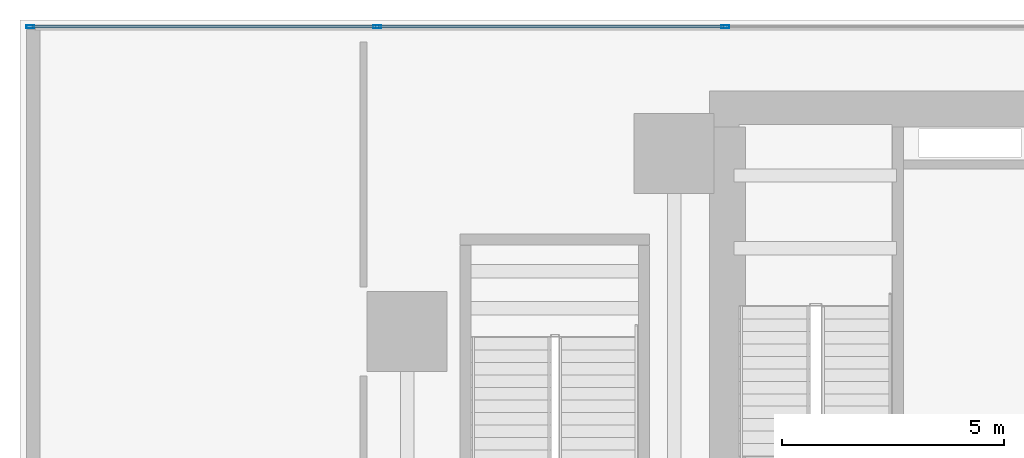
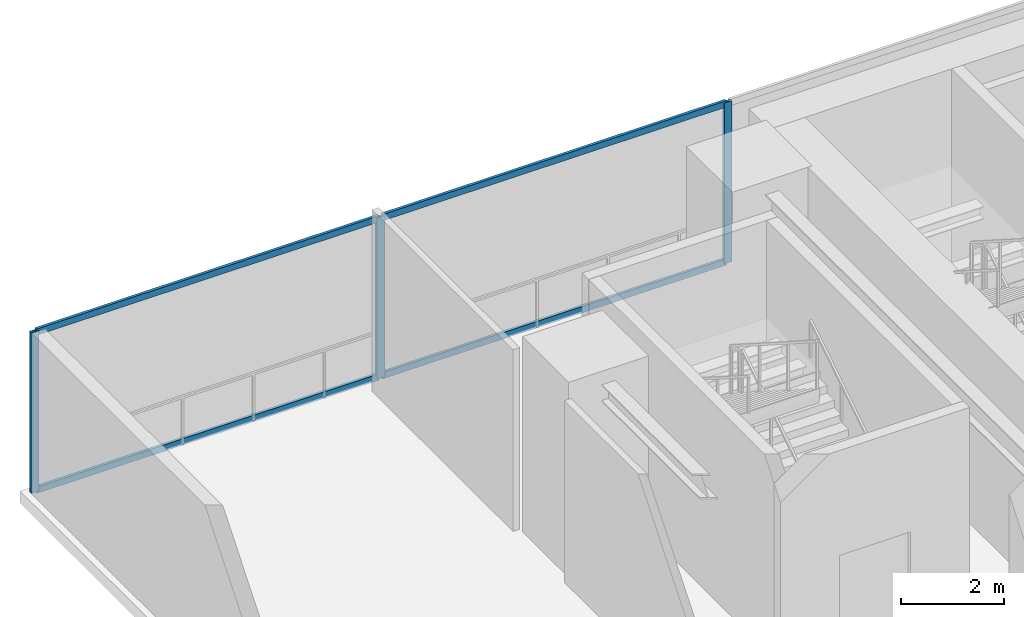
# One storey, part 2 of 15: 7 members, 1 element without a shape of its own.
"""IFC4 building model written with IfcOpenShell, lengths in metres."""

from ifc_helpers import new_model, si_unit, direction, frame, origin, origin_2d, place, context, subcontext, project, spatial, hollow_rectangle, extrude, source, transform, mapped, material, layer, layer_set, material_profile, profile_set, type_object, element, aggregate, save


model = new_model("IFC4")

# Units and contexts
model_context = context("Model", 3, precision=1e-05, world=origin(), true_north=direction((0.0, 1.0)))
body_context = subcontext(model_context, "Body", "Model", "MODEL_VIEW")
ifc_project = project(units=[si_unit("LENGTHUNIT", "METRE"), si_unit("AREAUNIT", "SQUARE_METRE"), si_unit("VOLUMEUNIT", "CUBIC_METRE"), si_unit("PLANEANGLEUNIT", "RADIAN"), si_unit("MASSUNIT", "GRAM", prefix="KILO")], contexts=[model_context])

# Site, building, storey
site_placement = place(None, origin())
site = spatial("IfcSite", under=ifc_project, at=site_placement, CompositionType="ELEMENT")
building_placement = place(site_placement, origin())
building = spatial("IfcBuilding", under=site, at=building_placement, Name="Sumidabori Civic Tower", CompositionType="ELEMENT")
storey_placement = place(building_placement, frame((0.0, 0.0, 14.300048828125)))
storey = spatial("IfcBuildingStorey", under=building, at=storey_placement, Name="L03", CompositionType="ELEMENT", Elevation=14.300048828125)

# Curtain wall, members
ifc_material = material(Name="Anodised Bronze Aluminium AW-6063-T6", Category="aluminium")
ifc_layer = layer(ifc_material, 0.179931640625, Name="Anodised Bronze Aluminium AW-6063-T6")
ifc_layer_set = layer_set([ifc_layer], Name="Anodised Bronze Aluminium AW-6063-T6")
curtain_wall_type = type_object("IfcCurtainWallType", Name="CW-SYS-1", PredefinedType="NOTDEFINED", material=ifc_layer_set)
curtain_wall_placement = place(storey_placement, origin())
curtain_wall = element("IfcCurtainWall", 1, at=curtain_wall_placement, inside=storey, type_object=curtain_wall_type, Name="Curtain Wall CW:L03:NORTH", PredefinedType="NOTDEFINED")
ifc_material_profile_1 = material_profile(ifc_material, hollow_rectangle(XDim=0.070068359375, YDim=0.179931640625, WallThickness=0.006103515625, at=origin_2d()), Name="ALU MULLION 180x70")
ifc_profile_set_1 = profile_set([ifc_material_profile_1], Name="Anodised Bronze Aluminium AW-6063-T6")
member_type_1 = type_object("IfcMemberType", Name="CW-MUL-180", PredefinedType="MULLION", material=ifc_profile_set_1)
shared_shape_1 = source(origin(), body_context, "Body", "SweptSolid", [
    extrude(hollow_rectangle(XDim=0.070068359375, YDim=0.179931640625, WallThickness=0.006103515625, at=origin_2d()), origin(), (0.0, 0.0, 1.0), 3.829833984375),
])
member_1_placement = place(storey_placement, frame((-31.264892578125, 25.64990234375, 0.0), z_axis=(0.0, 0.0, 1.0), x_axis=(0.0, 1.0, 0.0)))
member_1 = element("IfcMember", 2, at=member_1_placement, type_object=member_type_1, Name="CW-1 mullion 1", PredefinedType="MULLION", context=body_context, shape_type="MappedRepresentation", body=[
    mapped(shared_shape_1, transform((0.0, 0.0, 0.0), x_axis=(1.0, 0.0, 0.0), y_axis=(0.0, 1.0, 0.0), z_axis=(0.0, 0.0, 1.0), scale=1.0)),
])
member_2_placement = place(storey_placement, frame((-23.47509765625, 25.64990234375, 0.0), z_axis=(0.0, 0.0, 1.0), x_axis=(0.0, 1.0, 0.0)))
member_2 = element("IfcMember", 3, at=member_2_placement, type_object=member_type_1, Name="CW-1 mullion 2", PredefinedType="MULLION", context=body_context, shape_type="MappedRepresentation", body=[
    mapped(shared_shape_1, transform((0.0, 0.0, 0.0), x_axis=(1.0, 0.0, 0.0), y_axis=(0.0, 1.0, 0.0), z_axis=(0.0, 0.0, 1.0), scale=1.0)),
])
member_3_placement = place(storey_placement, frame((-15.64990234375, 25.64990234375, 0.0), z_axis=(0.0, 0.0, 1.0), x_axis=(0.0, 1.0, 0.0)))
member_3 = element("IfcMember", 4, at=member_3_placement, type_object=member_type_1, Name="CW-1 mullion 3", PredefinedType="MULLION", context=body_context, shape_type="MappedRepresentation", body=[
    mapped(shared_shape_1, transform((0.0, 0.0, 0.0), x_axis=(1.0, 0.0, 0.0), y_axis=(0.0, 1.0, 0.0), z_axis=(0.0, 0.0, 1.0), scale=1.0)),
])
ifc_material_profile_2 = material_profile(ifc_material, hollow_rectangle(XDim=0.06494140625, YDim=0.14990234375, WallThickness=0.0048828125, at=origin_2d()), Name="ALU TRANSOM 150x65")
ifc_profile_set_2 = profile_set([ifc_material_profile_2], Name="Anodised Bronze Aluminium AW-6063-T6")
member_type_2 = type_object("IfcMemberType", Name="CW-TRN-150", PredefinedType="USERDEFINED", material=ifc_profile_set_2)
shared_shape_2 = source(origin(), body_context, "Body", "SweptSolid", [
    extrude(hollow_rectangle(XDim=0.06494140625, YDim=0.14990234375, WallThickness=0.0048828125, at=origin_2d()), origin(), (0.0, 0.0, 1.0), 7.719970703125),
])
member_4_placement = place(storey_placement, frame((-31.22998046875, 25.64990234375, 0.032470703125), z_axis=(1.0, 0.0, 0.0), x_axis=(0.0, 1.0, 0.0)))
member_4 = element("IfcMember", 5, at=member_4_placement, type_object=member_type_2, Name="CW-1 transom 1.1", ObjectType="TRANSOM", PredefinedType="USERDEFINED", context=body_context, shape_type="MappedRepresentation", body=[
    mapped(shared_shape_2, transform((0.0, 0.0, 0.0), x_axis=(1.0, 0.0, 0.0), y_axis=(0.0, 1.0, 0.0), z_axis=(0.0, 0.0, 1.0), scale=1.0)),
])
member_5_placement = place(storey_placement, frame((-31.22998046875, 25.64990234375, 3.79736328125), z_axis=(1.0, 0.0, 0.0), x_axis=(0.0, 1.0, 0.0)))
member_5 = element("IfcMember", 6, at=member_5_placement, type_object=member_type_2, Name="CW-1 transom 1.2", ObjectType="TRANSOM", PredefinedType="USERDEFINED", context=body_context, shape_type="MappedRepresentation", body=[
    mapped(shared_shape_2, transform((0.0, 0.0, 0.0), x_axis=(1.0, 0.0, 0.0), y_axis=(0.0, 1.0, 0.0), z_axis=(0.0, 0.0, 1.0), scale=1.0)),
])
shared_shape_3 = source(origin(), body_context, "Body", "SweptSolid", [
    extrude(hollow_rectangle(XDim=0.06494140625, YDim=0.14990234375, WallThickness=0.0048828125, at=origin_2d()), origin(), (0.0, 0.0, 1.0), 7.7548828125),
])
member_6_placement = place(storey_placement, frame((-23.43994140625, 25.64990234375, 0.032470703125), z_axis=(1.0, 0.0, 0.0), x_axis=(0.0, 1.0, 0.0)))
member_6 = element("IfcMember", 7, at=member_6_placement, type_object=member_type_2, Name="CW-1 transom 2.1", ObjectType="TRANSOM", PredefinedType="USERDEFINED", context=body_context, shape_type="MappedRepresentation", body=[
    mapped(shared_shape_3, transform((0.0, 0.0, 0.0), x_axis=(1.0, 0.0, 0.0), y_axis=(0.0, 1.0, 0.0), z_axis=(0.0, 0.0, 1.0), scale=1.0)),
])
member_7_placement = place(storey_placement, frame((-23.43994140625, 25.64990234375, 3.79736328125), z_axis=(1.0, 0.0, 0.0), x_axis=(0.0, 1.0, 0.0)))
member_7 = element("IfcMember", 8, at=member_7_placement, type_object=member_type_2, Name="CW-1 transom 2.2", ObjectType="TRANSOM", PredefinedType="USERDEFINED", context=body_context, shape_type="MappedRepresentation", body=[
    mapped(shared_shape_3, transform((0.0, 0.0, 0.0), x_axis=(1.0, 0.0, 0.0), y_axis=(0.0, 1.0, 0.0), z_axis=(0.0, 0.0, 1.0), scale=1.0)),
])
aggregate(curtain_wall, [member_1, member_2, member_3, member_4, member_5, member_6, member_7])

save(model, "model.ifc")
